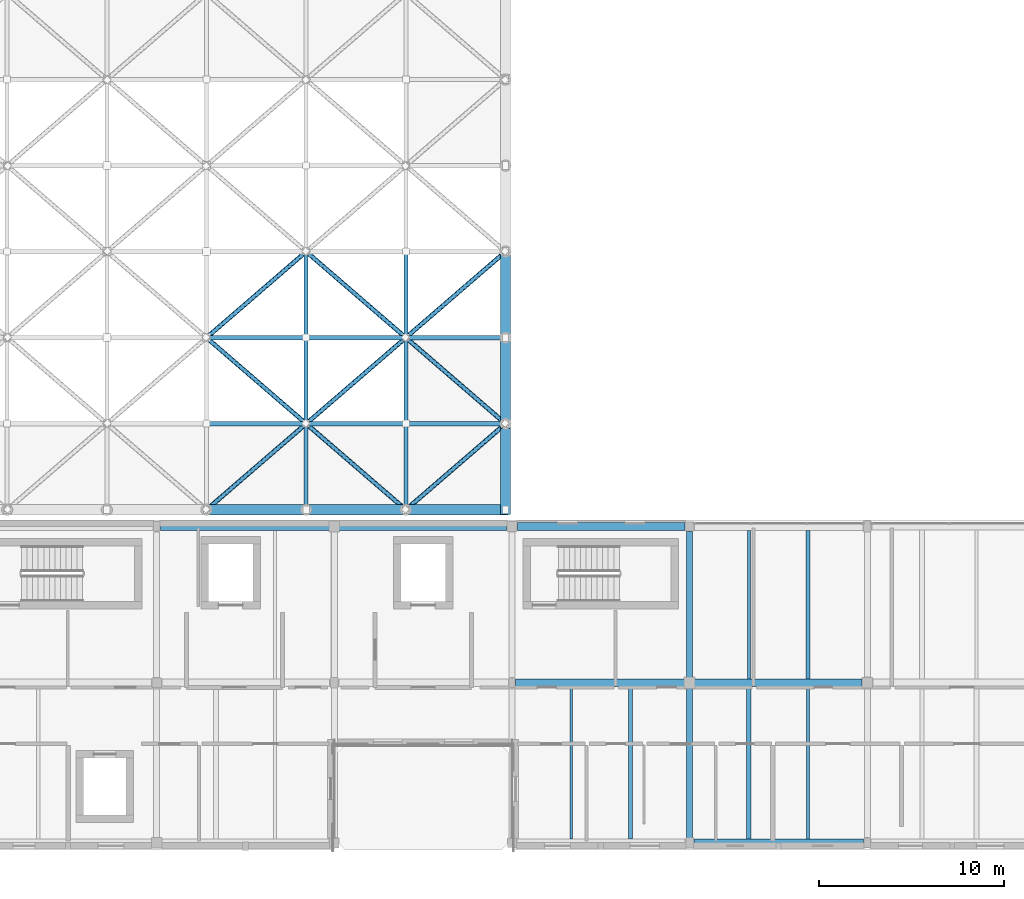
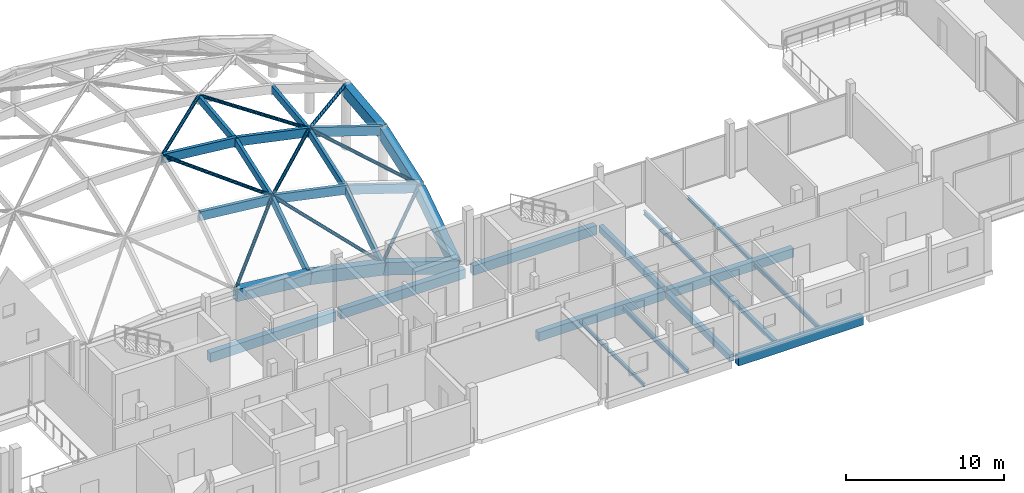
# One storey, part 10 of 41: 21 members, 20 beams.
"""IFC4 building model written with IfcOpenShell, lengths in metres."""

from ifc_helpers import new_model, si_unit, direction, frame, origin, origin_2d, place, context, subcontext, project, spatial, rectangle, hollow_circle, i_section, extrude, material, material_profile, profile_set, type_object, element, save


model = new_model("IFC4")

# Units and contexts
model_context = context("Model", 3, precision=1e-05, world=origin(), true_north=direction((0.0, 1.0)))
body_context = subcontext(model_context, "Body", "Model", "MODEL_VIEW")
ifc_project = project(units=[si_unit("LENGTHUNIT", "METRE"), si_unit("AREAUNIT", "SQUARE_METRE"), si_unit("VOLUMEUNIT", "CUBIC_METRE"), si_unit("PLANEANGLEUNIT", "RADIAN"), si_unit("MASSUNIT", "GRAM", prefix="KILO")], contexts=[model_context])

# Site, building, storey
site_placement = place(None, origin())
site = spatial("IfcSite", under=ifc_project, at=site_placement, CompositionType="ELEMENT")
building_placement = place(site_placement, origin())
building = spatial("IfcBuilding", under=site, at=building_placement, Name="Birchvale Park Specialist Clinic", CompositionType="ELEMENT")
storey_placement = place(building_placement, frame((0.0, 0.0, 9.60009765625)))
storey = spatial("IfcBuildingStorey", under=building, at=storey_placement, Name="L02", CompositionType="ELEMENT", Elevation=9.60009765625)

# Beams
ifc_material_1 = material(Name="Concrete C40/50", Category="concrete")
ifc_material_profile_1 = material_profile(ifc_material_1, rectangle(XDim=0.419921875, YDim=0.719970703125, at=origin_2d()), Name="RCB-420x720")
ifc_profile_set_1 = profile_set([ifc_material_profile_1], Name="Concrete C40/50")
beam_type_1 = type_object("IfcBeamType", Name="BM-EXT-BG3", PredefinedType="BEAM", material=ifc_profile_set_1)
beam_1_placement = place(storey_placement, frame((100.0400390625, 17.14990234375, -0.64013671875), z_axis=(1.0, 0.0, 0.0), x_axis=(0.0, 1.0, 0.0)))
element("IfcBeam", 1, at=beam_1_placement, inside=storey, type_object=beam_type_1, Name="V4 L02 X girder 5", PredefinedType="BEAM", context=body_context, shape_type="SweptSolid", body=[
    extrude(rectangle(XDim=0.419921875, YDim=0.719970703125, at=origin_2d()), origin(), (0.0, 0.0, 1.0), 9.14990234375),
])
beam_2_placement = place(storey_placement, frame((71.2099609375, 34.25, -0.64013671875), z_axis=(1.0, 0.0, 0.0), x_axis=(0.0, 1.0, 0.0)))
element("IfcBeam", 2, at=beam_2_placement, inside=storey, type_object=beam_type_1, Name="V4 L02 X girder 16", PredefinedType="BEAM", context=body_context, shape_type="SweptSolid", body=[
    extrude(rectangle(XDim=0.419921875, YDim=0.719970703125, at=origin_2d()), origin(), (0.0, 0.0, 1.0), 9.205078125),
])
beam_3_placement = place(storey_placement, frame((80.784912109375, 34.25, -0.64013671875), z_axis=(1.0, 0.0, 0.0), x_axis=(0.0, 1.0, 0.0)))
element("IfcBeam", 3, at=beam_3_placement, inside=storey, type_object=beam_type_1, Name="V4 L02 X girder 17", PredefinedType="BEAM", context=body_context, shape_type="SweptSolid", body=[
    extrude(rectangle(XDim=0.419921875, YDim=0.719970703125, at=origin_2d()), origin(), (0.0, 0.0, 1.0), 9.125),
])
beam_4_placement = place(storey_placement, frame((90.489990234375, 34.25, -0.64013671875), z_axis=(1.0, 0.0, 0.0), x_axis=(0.0, 1.0, 0.0)))
element("IfcBeam", 4, at=beam_4_placement, inside=storey, type_object=beam_type_1, Name="V4 L02 X girder 18", PredefinedType="BEAM", context=body_context, shape_type="SweptSolid", body=[
    extrude(rectangle(XDim=0.419921875, YDim=0.719970703125, at=origin_2d()), origin(), (0.0, 0.0, 1.0), 9.044921875),
])
ifc_material_profile_2 = material_profile(ifc_material_1, rectangle(XDim=0.550048828125, YDim=0.93994140625, at=origin_2d()), Name="RCB-550x940")
ifc_profile_set_2 = profile_set([ifc_material_profile_2], Name="Concrete C40/50")
beam_type_2 = type_object("IfcBeamType", Name="BM-EXT-RB1", PredefinedType="BEAM", material=ifc_profile_set_2)
beam_5_placement = place(storey_placement, frame((73.69287109375, 35.14990234375, 2.81689453125), z_axis=(0.994608725176, 0.0, -0.103699005798), x_axis=(0.0, 1.0, 0.0)))
element("IfcBeam", 5, at=beam_5_placement, inside=storey, type_object=beam_type_2, Name="V1 gridshell perimeter ring beam 5", PredefinedType="BEAM", context=body_context, shape_type="SweptSolid", body=[
    extrude(rectangle(XDim=0.550048828125, YDim=0.93994140625, at=origin_2d()), origin(), (0.0, 0.0, 1.0), 5.4150390625),
])
beam_6_placement = place(storey_placement, frame((79.07861328125, 35.14990234375, 2.25537109375), z_axis=(0.978246670793, 0.0, -0.207445055574), x_axis=(0.0, 1.0, 0.0)))
element("IfcBeam", 6, at=beam_6_placement, inside=storey, type_object=beam_type_2, Name="V1 gridshell perimeter ring beam 6", PredefinedType="BEAM", context=body_context, shape_type="SweptSolid", body=[
    extrude(rectangle(XDim=0.550048828125, YDim=0.93994140625, at=origin_2d()), origin(), (0.0, 0.0, 1.0), 5.505615234375),
])
beam_7_placement = place(storey_placement, frame((84.46435546875, 35.14990234375, 1.11328125), z_axis=(0.950354284012, 0.0, -0.311169945304), x_axis=(0.0, 1.0, 0.0)))
element("IfcBeam", 7, at=beam_7_placement, inside=storey, type_object=beam_type_2, Name="V1 gridshell perimeter ring beam 7", PredefinedType="BEAM", context=body_context, shape_type="SweptSolid", body=[
    extrude(rectangle(XDim=0.550048828125, YDim=0.93994140625, at=origin_2d()), origin(), (0.0, 0.0, 1.0), 5.6669921875),
])
beam_8_placement = place(storey_placement, frame((89.85009765625, 35.14990234375, -0.650146484375), z_axis=(0.0, 0.831626868314, 0.555334810631), x_axis=(-1.0, 0.0, 0.0)))
element("IfcBeam", 8, at=beam_8_placement, inside=storey, type_object=beam_type_2, Name="V1 gridshell perimeter ring beam 21", PredefinedType="BEAM", context=body_context, shape_type="SweptSolid", body=[
    extrude(rectangle(XDim=0.550048828125, YDim=0.93994140625, at=origin_2d()), origin(), (0.0, 0.0, 1.0), 5.591552734375),
])
beam_9_placement = place(storey_placement, frame((89.85009765625, 39.800048828125, 2.455078125), z_axis=(0.0, 0.943085366196, 0.33255073608), x_axis=(-1.0, 0.0, 0.0)))
element("IfcBeam", 9, at=beam_9_placement, inside=storey, type_object=beam_type_2, Name="V1 gridshell perimeter ring beam 22", PredefinedType="BEAM", context=body_context, shape_type="SweptSolid", body=[
    extrude(rectangle(XDim=0.550048828125, YDim=0.93994140625, at=origin_2d()), origin(), (0.0, 0.0, 1.0), 4.930419921875),
])
beam_10_placement = place(storey_placement, frame((89.85009765625, 44.449951171875, 4.0947265625), z_axis=(0.0, 0.993845495823, 0.110775134543), x_axis=(-1.0, 0.0, 0.0)))
element("IfcBeam", 10, at=beam_10_placement, inside=storey, type_object=beam_type_2, Name="V1 gridshell perimeter ring beam 23", PredefinedType="BEAM", context=body_context, shape_type="SweptSolid", body=[
    extrude(rectangle(XDim=0.550048828125, YDim=0.93994140625, at=origin_2d()), origin(), (0.0, 0.0, 1.0), 4.678955078125),
])
ifc_material_profile_3 = material_profile(ifc_material_1, rectangle(XDim=0.419921875, YDim=0.679931640625, at=origin_2d()), Name="RCB-420x680")
ifc_profile_set_3 = profile_set([ifc_material_profile_3], Name="Concrete C40/50")
beam_type_3 = type_object("IfcBeamType", Name="BM-INT-BG3", PredefinedType="BEAM", material=ifc_profile_set_3)
beam_11_placement = place(storey_placement, frame((90.39990234375, 25.800048828125, -0.6201171875), z_axis=(1.0, 0.0, 0.0), x_axis=(0.0, 1.0, 0.0)))
element("IfcBeam", 11, at=beam_11_placement, inside=storey, type_object=beam_type_3, Name="V4 L02 X girder 11", PredefinedType="BEAM", context=body_context, shape_type="SweptSolid", body=[
    extrude(rectangle(XDim=0.419921875, YDim=0.679931640625, at=origin_2d()), origin(), (0.0, 0.0, 1.0), 9.22509765625),
])
beam_12_placement = place(storey_placement, frame((99.97509765625, 25.800048828125, -0.6201171875), z_axis=(1.0, 0.0, 0.0), x_axis=(0.0, 1.0, 0.0)))
element("IfcBeam", 12, at=beam_12_placement, inside=storey, type_object=beam_type_3, Name="V4 L02 X girder 12", PredefinedType="BEAM", context=body_context, shape_type="SweptSolid", body=[
    extrude(rectangle(XDim=0.419921875, YDim=0.679931640625, at=origin_2d()), origin(), (0.0, 0.0, 1.0), 9.125),
])
ifc_material_profile_4 = material_profile(ifc_material_1, rectangle(XDim=0.320068359375, YDim=0.5, at=origin_2d()), Name="RCB-320x500")
ifc_profile_set_4 = profile_set([ifc_material_profile_4], Name="Concrete C40/50")
beam_type_4 = type_object("IfcBeamType", Name="BM-INT-BG7", PredefinedType="BEAM", material=ifc_profile_set_4)
beam_13_placement = place(storey_placement, frame((99.800048828125, 17.389892578125, -0.530029296875), z_axis=(0.0, 1.0, 0.0), x_axis=(-1.0, 0.0, 0.0)))
element("IfcBeam", 13, at=beam_13_placement, inside=storey, type_object=beam_type_4, Name="V4 L02 Y girder 31", PredefinedType="BEAM", context=body_context, shape_type="SweptSolid", body=[
    extrude(rectangle(XDim=0.320068359375, YDim=0.5, at=origin_2d()), origin(), (0.0, 0.0, 1.0), 8.16015625),
])
beam_14_placement = place(storey_placement, frame((99.800048828125, 26.050048828125, -0.530029296875), z_axis=(0.0, 1.0, 0.0), x_axis=(-1.0, 0.0, 0.0)))
element("IfcBeam", 14, at=beam_14_placement, inside=storey, type_object=beam_type_4, Name="V4 L02 Y girder 32", PredefinedType="BEAM", context=body_context, shape_type="SweptSolid", body=[
    extrude(rectangle(XDim=0.320068359375, YDim=0.5, at=origin_2d()), origin(), (0.0, 0.0, 1.0), 7.93505859375),
])

# Members
ifc_material_2 = material(Name="Steel EN 10210 S355", Category="steel")
ifc_material_profile_5 = material_profile(ifc_material_2, hollow_circle(Radius=0.122314453125, WallThickness=0.010009765625, at=origin_2d()), Name="CHS244.5X10")
ifc_profile_set_5 = profile_set([ifc_material_profile_5], Name="Steel EN 10210 S355")
member_type_1 = type_object("IfcMemberType", Name="MEM-BR1", PredefinedType="BRACE", material=ifc_profile_set_5)
member_1_placement = place(storey_placement, frame((73.72509765625, 35.177734375, 3.14990234375), z_axis=(0.712734222202, 0.615385636246, 0.336616171928), x_axis=(-0.653524027301, 0.756905770714, 0.0)))
element("IfcMember", 15, at=member_1_placement, inside=storey, type_object=member_type_1, Name="V1 gridshell tubular steel diagonal 25", PredefinedType="BRACE", context=body_context, shape_type="SweptSolid", body=[
    extrude(hollow_circle(Radius=0.122314453125, WallThickness=0.010009765625, at=origin_2d()), origin(), (0.0, 0.0, 1.0), 7.466064453125),
])
member_2_placement = place(storey_placement, frame((79.046142578125, 39.828125, 5.691650390625), z_axis=(-0.723117971539, 0.624308880999, 0.29553142023), x_axis=(-0.653498693899, -0.756927643221, 0.0)))
element("IfcMember", 16, at=member_2_placement, inside=storey, type_object=member_type_1, Name="V1 gridshell tubular steel diagonal 26", PredefinedType="BRACE", context=body_context, shape_type="SweptSolid", body=[
    extrude(hollow_circle(Radius=0.122314453125, WallThickness=0.010009765625, at=origin_2d()), origin(), (0.0, 0.0, 1.0), 7.358154296875),
])
member_3_placement = place(storey_placement, frame((73.72705078125, 44.4794921875, 7.879150390625), z_axis=(0.756894959596, 0.653508251387, -0.006081571071), x_axis=(-0.653520336889, 0.756908957056, 0.0)))
element("IfcMember", 17, at=member_3_placement, inside=storey, type_object=member_type_1, Name="V1 gridshell tubular steel diagonal 27", PredefinedType="BRACE", context=body_context, shape_type="SweptSolid", body=[
    extrude(hollow_circle(Radius=0.122314453125, WallThickness=0.010009765625, at=origin_2d()), origin(), (0.0, 0.0, 1.0), 7.025146484375),
])
member_4_placement = place(storey_placement, frame((84.43505859375, 35.17529296875, 1.4541015625), z_axis=(-0.649930122279, 0.561138110614, 0.512557174343), x_axis=(-0.653509679052, -0.756918158974, 0.0)))
element("IfcMember", 18, at=member_4_placement, inside=storey, type_object=member_type_1, Name="V1 gridshell tubular steel diagonal 31", PredefinedType="BRACE", context=body_context, shape_type="SweptSolid", body=[
    extrude(hollow_circle(Radius=0.122314453125, WallThickness=0.010009765625, at=origin_2d()), origin(), (0.0, 0.0, 1.0), 8.196533203125),
])
member_5_placement = place(storey_placement, frame((79.112548828125, 39.829345703125, 5.681396484375), z_axis=(0.755076331914, 0.651912840785, 0.069780950149), x_axis=(-0.653505866941, 0.756921450266, 0.0)))
element("IfcMember", 19, at=member_5_placement, inside=storey, type_object=member_type_1, Name="V1 gridshell tubular steel diagonal 32", PredefinedType="BRACE", context=body_context, shape_type="SweptSolid", body=[
    extrude(hollow_circle(Radius=0.122314453125, WallThickness=0.010009765625, at=origin_2d()), origin(), (0.0, 0.0, 1.0), 7.042724609375),
])
member_6_placement = place(storey_placement, frame((84.43115234375, 44.478515625, 6.18603515625), z_axis=(-0.737105485434, 0.636425022581, 0.227241488235), x_axis=(-0.653522182779, -0.756907363299, 0.0)))
element("IfcMember", 20, at=member_6_placement, inside=storey, type_object=member_type_1, Name="V1 gridshell tubular steel diagonal 33", PredefinedType="BRACE", context=body_context, shape_type="SweptSolid", body=[
    extrude(hollow_circle(Radius=0.122314453125, WallThickness=0.010009765625, at=origin_2d()), origin(), (0.0, 0.0, 1.0), 7.216552734375),
])
member_7_placement = place(storey_placement, frame((84.497802734375, 35.178955078125, 1.439453125), z_axis=(0.74380694835, 0.642197149025, 0.185294482841), x_axis=(-0.653514026097, 0.756914405791, 0.0)))
element("IfcMember", 21, at=member_7_placement, inside=storey, type_object=member_type_1, Name="V1 gridshell tubular steel diagonal 37", PredefinedType="BRACE", context=body_context, shape_type="SweptSolid", body=[
    extrude(hollow_circle(Radius=0.122314453125, WallThickness=0.010009765625, at=origin_2d()), origin(), (0.0, 0.0, 1.0), 7.150634765625),
])
member_8_placement = place(storey_placement, frame((89.8193359375, 39.826416015625, 2.792236328125), z_axis=(-0.68281951537, 0.589576828431, 0.43145877301), x_axis=(-0.653536733397, -0.75689479989, 0.0)))
element("IfcMember", 22, at=member_8_placement, inside=storey, type_object=member_type_1, Name="V1 gridshell tubular steel diagonal 38", PredefinedType="BRACE", context=body_context, shape_type="SweptSolid", body=[
    extrude(hollow_circle(Radius=0.122314453125, WallThickness=0.010009765625, at=origin_2d()), origin(), (0.0, 0.0, 1.0), 7.79736328125),
])
member_9_placement = place(storey_placement, frame((84.497802734375, 44.47900390625, 6.168212890625), z_axis=(0.745586970307, 0.643734006174, -0.172356023983), x_axis=(-0.653514026097, 0.756914405791, 0.0)))
element("IfcMember", 23, at=member_9_placement, inside=storey, type_object=member_type_1, Name="V1 gridshell tubular steel diagonal 39", PredefinedType="BRACE", context=body_context, shape_type="SweptSolid", body=[
    extrude(hollow_circle(Radius=0.122314453125, WallThickness=0.010009765625, at=origin_2d()), origin(), (0.0, 0.0, 1.0), 7.133544921875),
])
ifc_material_3 = material(Name="Glulam GL28h", Category="wood")
ifc_material_profile_6 = material_profile(ifc_material_3, rectangle(XDim=0.239990234375, YDim=0.679931640625, at=origin_2d()), Name="GL-240x680")
ifc_profile_set_6 = profile_set([ifc_material_profile_6], Name="Glulam GL28h")
member_type_2 = type_object("IfcMemberType", Name="MEM-GC1", PredefinedType="CHORD", material=ifc_profile_set_6)
member_10_placement = place(storey_placement, frame((73.69287109375, 39.800048828125, 6.027099609375), z_axis=(0.994608725176, 0.0, -0.103699005798), x_axis=(0.0, 1.0, 0.0)))
element("IfcMember", 24, at=member_10_placement, inside=storey, type_object=member_type_2, Name="V1 gridshell longitudinal glulam rib 5", PredefinedType="CHORD", context=body_context, shape_type="SweptSolid", body=[
    extrude(rectangle(XDim=0.239990234375, YDim=0.679931640625, at=origin_2d()), origin(), (0.0, 0.0, 1.0), 5.4150390625),
])
member_11_placement = place(storey_placement, frame((79.07861328125, 39.800048828125, 5.465576171875), z_axis=(0.978246670793, 0.0, -0.207445055574), x_axis=(0.0, 1.0, 0.0)))
element("IfcMember", 25, at=member_11_placement, inside=storey, type_object=member_type_2, Name="V1 gridshell longitudinal glulam rib 6", PredefinedType="CHORD", context=body_context, shape_type="SweptSolid", body=[
    extrude(rectangle(XDim=0.239990234375, YDim=0.679931640625, at=origin_2d()), origin(), (0.0, 0.0, 1.0), 5.505615234375),
])
member_12_placement = place(storey_placement, frame((84.46435546875, 39.800048828125, 4.323486328125), z_axis=(0.950354284012, 0.0, -0.311169945304), x_axis=(0.0, 1.0, 0.0)))
element("IfcMember", 26, at=member_12_placement, inside=storey, type_object=member_type_2, Name="V1 gridshell longitudinal glulam rib 7", PredefinedType="CHORD", context=body_context, shape_type="SweptSolid", body=[
    extrude(rectangle(XDim=0.239990234375, YDim=0.679931640625, at=origin_2d()), origin(), (0.0, 0.0, 1.0), 5.6669921875),
])
member_13_placement = place(storey_placement, frame((73.69287109375, 44.449951171875, 7.666748046875), z_axis=(0.994608725176, 0.0, -0.103699005798), x_axis=(0.0, 1.0, 0.0)))
element("IfcMember", 27, at=member_13_placement, inside=storey, type_object=member_type_2, Name="V1 gridshell longitudinal glulam rib 12", PredefinedType="CHORD", context=body_context, shape_type="SweptSolid", body=[
    extrude(rectangle(XDim=0.239990234375, YDim=0.679931640625, at=origin_2d()), origin(), (0.0, 0.0, 1.0), 5.4150390625),
])
member_14_placement = place(storey_placement, frame((79.07861328125, 44.449951171875, 7.105224609375), z_axis=(0.978246670793, 0.0, -0.207445055574), x_axis=(0.0, 1.0, 0.0)))
element("IfcMember", 28, at=member_14_placement, inside=storey, type_object=member_type_2, Name="V1 gridshell longitudinal glulam rib 13", PredefinedType="CHORD", context=body_context, shape_type="SweptSolid", body=[
    extrude(rectangle(XDim=0.239990234375, YDim=0.679931640625, at=origin_2d()), origin(), (0.0, 0.0, 1.0), 5.505615234375),
])
member_15_placement = place(storey_placement, frame((84.46435546875, 44.449951171875, 5.963134765625), z_axis=(0.950354284012, 0.0, -0.311169945304), x_axis=(0.0, 1.0, 0.0)))
element("IfcMember", 29, at=member_15_placement, inside=storey, type_object=member_type_2, Name="V1 gridshell longitudinal glulam rib 14", PredefinedType="CHORD", context=body_context, shape_type="SweptSolid", body=[
    extrude(rectangle(XDim=0.239990234375, YDim=0.679931640625, at=origin_2d()), origin(), (0.0, 0.0, 1.0), 5.6669921875),
])
ifc_material_profile_7 = material_profile(ifc_material_3, rectangle(XDim=0.219970703125, YDim=0.56005859375, at=origin_2d()), Name="GL-220x560")
ifc_profile_set_7 = profile_set([ifc_material_profile_7], Name="Glulam GL28h")
member_type_3 = type_object("IfcMemberType", Name="MEM-GC2", PredefinedType="CHORD", material=ifc_profile_set_7)
member_16_placement = place(storey_placement, frame((79.07861328125, 35.14990234375, 2.3603515625), z_axis=(0.0, 0.831626868314, 0.555334810631), x_axis=(-1.0, 0.0, 0.0)))
element("IfcMember", 30, at=member_16_placement, inside=storey, type_object=member_type_3, Name="V1 gridshell transverse glulam rib 60", PredefinedType="CHORD", context=body_context, shape_type="SweptSolid", body=[
    extrude(rectangle(XDim=0.219970703125, YDim=0.56005859375, at=origin_2d()), origin(), (0.0, 0.0, 1.0), 5.591552734375),
])
member_17_placement = place(storey_placement, frame((79.07861328125, 39.800048828125, 5.465576171875), z_axis=(0.0, 0.943085366196, 0.33255073608), x_axis=(-1.0, 0.0, 0.0)))
element("IfcMember", 31, at=member_17_placement, inside=storey, type_object=member_type_3, Name="V1 gridshell transverse glulam rib 61", PredefinedType="CHORD", context=body_context, shape_type="SweptSolid", body=[
    extrude(rectangle(XDim=0.219970703125, YDim=0.56005859375, at=origin_2d()), origin(), (0.0, 0.0, 1.0), 4.930419921875),
])
member_18_placement = place(storey_placement, frame((79.07861328125, 44.449951171875, 7.105224609375), z_axis=(0.0, 0.993845495823, 0.110775134543), x_axis=(-1.0, 0.0, 0.0)))
element("IfcMember", 32, at=member_18_placement, inside=storey, type_object=member_type_3, Name="V1 gridshell transverse glulam rib 62", PredefinedType="CHORD", context=body_context, shape_type="SweptSolid", body=[
    extrude(rectangle(XDim=0.219970703125, YDim=0.56005859375, at=origin_2d()), origin(), (0.0, 0.0, 1.0), 4.678955078125),
])
member_19_placement = place(storey_placement, frame((84.46435546875, 35.14990234375, 1.218505859375), z_axis=(0.0, 0.831647032656, 0.555304612869), x_axis=(-1.0, 0.0, 0.0)))
element("IfcMember", 33, at=member_19_placement, inside=storey, type_object=member_type_3, Name="V1 gridshell transverse glulam rib 66", PredefinedType="CHORD", context=body_context, shape_type="SweptSolid", body=[
    extrude(rectangle(XDim=0.219970703125, YDim=0.56005859375, at=origin_2d()), origin(), (0.0, 0.0, 1.0), 5.591552734375),
])
member_20_placement = place(storey_placement, frame((84.46435546875, 39.800048828125, 4.323486328125), z_axis=(0.0, 0.943085366196, 0.33255073608), x_axis=(-1.0, 0.0, 0.0)))
element("IfcMember", 34, at=member_20_placement, inside=storey, type_object=member_type_3, Name="V1 gridshell transverse glulam rib 67", PredefinedType="CHORD", context=body_context, shape_type="SweptSolid", body=[
    extrude(rectangle(XDim=0.219970703125, YDim=0.56005859375, at=origin_2d()), origin(), (0.0, 0.0, 1.0), 4.930419921875),
])
member_21_placement = place(storey_placement, frame((84.46435546875, 44.449951171875, 5.963134765625), z_axis=(0.0, 0.993845495823, 0.110775134543), x_axis=(-1.0, 0.0, 0.0)))
element("IfcMember", 35, at=member_21_placement, inside=storey, type_object=member_type_3, Name="V1 gridshell transverse glulam rib 68", PredefinedType="CHORD", context=body_context, shape_type="SweptSolid", body=[
    extrude(rectangle(XDim=0.219970703125, YDim=0.56005859375, at=origin_2d()), origin(), (0.0, 0.0, 1.0), 4.678955078125),
])

# Beams
ifc_material_4 = material(Name="Steel ASTM A992 Grade 50", Category="steel")
ifc_material_profile_8 = material_profile(ifc_material_4, i_section(OverallWidth=0.2041015625, OverallDepth=0.35107421875, WebThickness=0.008544921875, FlangeThickness=0.01513671875, at=origin_2d()), Name="W14X48")
ifc_profile_set_8 = profile_set([ifc_material_profile_8], Name="Steel ASTM A992 Grade 50")
beam_type_5 = type_object("IfcBeamType", Name="STL-INT-SJ1", PredefinedType="JOIST", material=ifc_profile_set_8)
beam_15_placement = place(storey_placement, frame((96.60009765625, 17.360107421875, -0.45556640625), z_axis=(0.0, 1.0, 0.0), x_axis=(-1.0, 0.0, 0.0)))
element("IfcBeam", 36, at=beam_15_placement, inside=storey, type_object=beam_type_5, Name="V4 L02 secondary floor joist 9", PredefinedType="JOIST", context=body_context, shape_type="SweptSolid", body=[
    extrude(i_section(OverallWidth=0.2041015625, OverallDepth=0.35107421875, WebThickness=0.008544921875, FlangeThickness=0.01513671875, at=origin_2d()), origin(), (0.0, 0.0, 1.0), 8.22998046875),
])
ifc_material_profile_9 = material_profile(ifc_material_4, i_section(OverallWidth=0.25390625, OverallDepth=0.305908203125, WebThickness=0.0087890625, FlangeThickness=0.0146484375, at=origin_2d()), Name="W12X53")
ifc_profile_set_9 = profile_set([ifc_material_profile_9], Name="Steel ASTM A992 Grade 50")
beam_type_6 = type_object("IfcBeamType", Name="STL-INT-SJ2", PredefinedType="JOIST", material=ifc_profile_set_9)
beam_16_placement = place(storey_placement, frame((103.0, 17.360107421875, -0.43310546875), z_axis=(0.0, 1.0, 0.0), x_axis=(-1.0, 0.0, 0.0)))
element("IfcBeam", 37, at=beam_16_placement, inside=storey, type_object=beam_type_6, Name="V4 L02 secondary floor joist 10", PredefinedType="JOIST", context=body_context, shape_type="SweptSolid", body=[
    extrude(i_section(OverallWidth=0.25390625, OverallDepth=0.305908203125, WebThickness=0.0087890625, FlangeThickness=0.0146484375, at=origin_2d()), origin(), (0.0, 0.0, 1.0), 8.22998046875),
])
ifc_material_profile_10 = material_profile(ifc_material_4, i_section(OverallWidth=0.1669921875, OverallDepth=0.31689453125, WebThickness=0.007568359375, FlangeThickness=0.01318359375, at=origin_2d()), Name="W12X35")
ifc_profile_set_10 = profile_set([ifc_material_profile_10], Name="Steel ASTM A992 Grade 50")
beam_type_7 = type_object("IfcBeamType", Name="STL-INT-SJ3", PredefinedType="JOIST", material=ifc_profile_set_10)
beam_17_placement = place(storey_placement, frame((106.199951171875, 17.360107421875, -0.4384765625), z_axis=(0.0, 1.0, 0.0), x_axis=(-1.0, 0.0, 0.0)))
element("IfcBeam", 38, at=beam_17_placement, inside=storey, type_object=beam_type_7, Name="V4 L02 secondary floor joist 11", PredefinedType="JOIST", context=body_context, shape_type="SweptSolid", body=[
    extrude(i_section(OverallWidth=0.1669921875, OverallDepth=0.31689453125, WebThickness=0.007568359375, FlangeThickness=0.01318359375, at=origin_2d()), origin(), (0.0, 0.0, 1.0), 8.22998046875),
])
beam_18_placement = place(storey_placement, frame((103.0, 26.010009765625, -0.4384765625), z_axis=(0.0, 1.0, 0.0), x_axis=(-1.0, 0.0, 0.0)))
element("IfcBeam", 39, at=beam_18_placement, inside=storey, type_object=beam_type_7, Name="V4 L02 secondary floor joist 12", PredefinedType="JOIST", context=body_context, shape_type="SweptSolid", body=[
    extrude(i_section(OverallWidth=0.1669921875, OverallDepth=0.31689453125, WebThickness=0.007568359375, FlangeThickness=0.01318359375, at=origin_2d()), origin(), (0.0, 0.0, 1.0), 8.030029296875),
])
ifc_material_profile_11 = material_profile(ifc_material_4, i_section(OverallWidth=0.202880859375, OverallDepth=0.251953125, WebThickness=0.008056640625, FlangeThickness=0.013427734375, at=origin_2d()), Name="W10X39")
ifc_profile_set_11 = profile_set([ifc_material_profile_11], Name="Steel ASTM A992 Grade 50")
beam_type_8 = type_object("IfcBeamType", Name="STL-INT-SJ4", PredefinedType="JOIST", material=ifc_profile_set_11)
beam_19_placement = place(storey_placement, frame((106.199951171875, 26.010009765625, -0.406005859375), z_axis=(0.0, 1.0, 0.0), x_axis=(-1.0, 0.0, 0.0)))
element("IfcBeam", 40, at=beam_19_placement, inside=storey, type_object=beam_type_8, Name="V4 L02 secondary floor joist 13", PredefinedType="JOIST", context=body_context, shape_type="SweptSolid", body=[
    extrude(i_section(OverallWidth=0.202880859375, OverallDepth=0.251953125, WebThickness=0.008056640625, FlangeThickness=0.013427734375, at=origin_2d()), origin(), (0.0, 0.0, 1.0), 8.030029296875),
])
ifc_material_profile_12 = material_profile(ifc_material_4, i_section(OverallWidth=0.14697265625, OverallDepth=0.261962890625, WebThickness=0.006591796875, FlangeThickness=0.01123046875, at=origin_2d()), Name="W10X26")
ifc_profile_set_12 = profile_set([ifc_material_profile_12], Name="Steel ASTM A992 Grade 50")
beam_type_9 = type_object("IfcBeamType", Name="STL-INT-SJ5", PredefinedType="JOIST", material=ifc_profile_set_12)
beam_20_placement = place(storey_placement, frame((93.39990234375, 17.360107421875, -0.4111328125), z_axis=(0.0, 1.0, 0.0), x_axis=(-1.0, 0.0, 0.0)))
element("IfcBeam", 41, at=beam_20_placement, inside=storey, type_object=beam_type_9, Name="V4 L02 secondary floor joist 8", PredefinedType="JOIST", context=body_context, shape_type="SweptSolid", body=[
    extrude(i_section(OverallWidth=0.14697265625, OverallDepth=0.261962890625, WebThickness=0.006591796875, FlangeThickness=0.01123046875, at=origin_2d()), origin(), (0.0, 0.0, 1.0), 8.22998046875),
])

save(model, "model.ifc")
